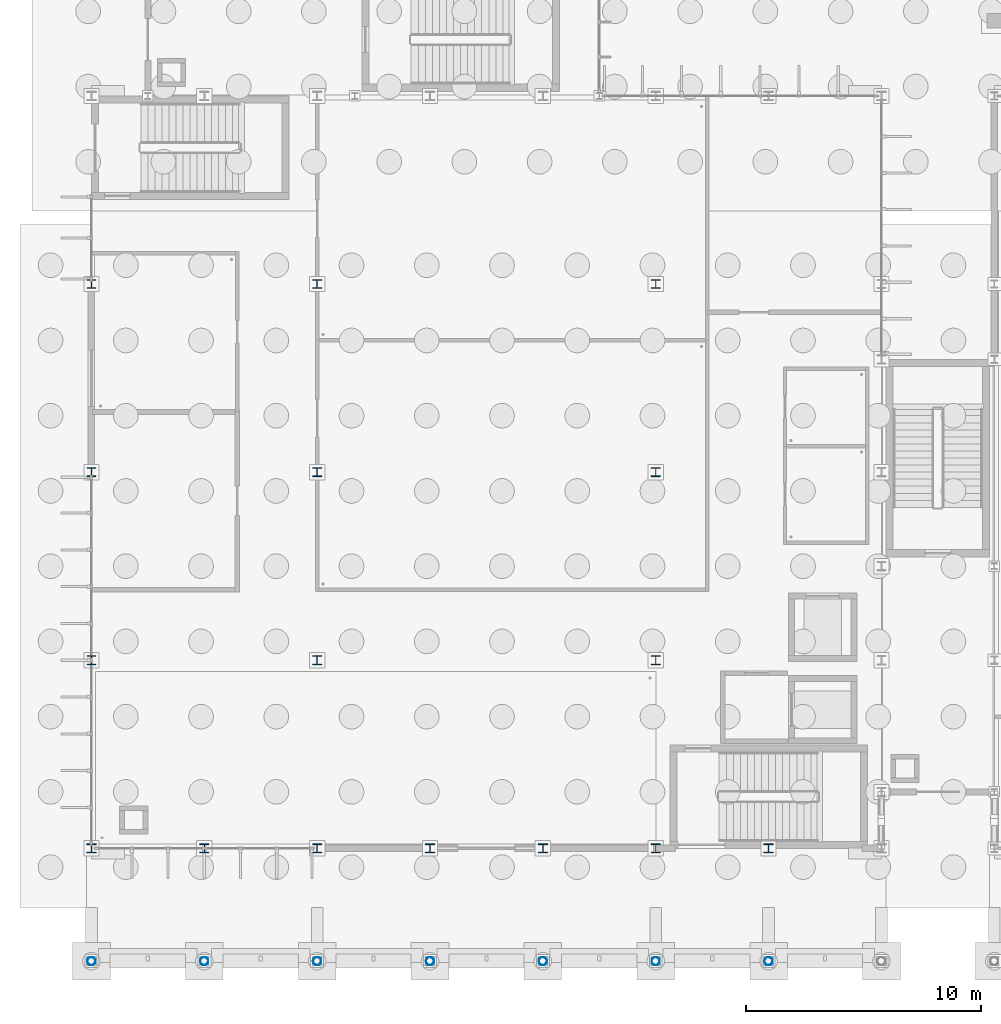
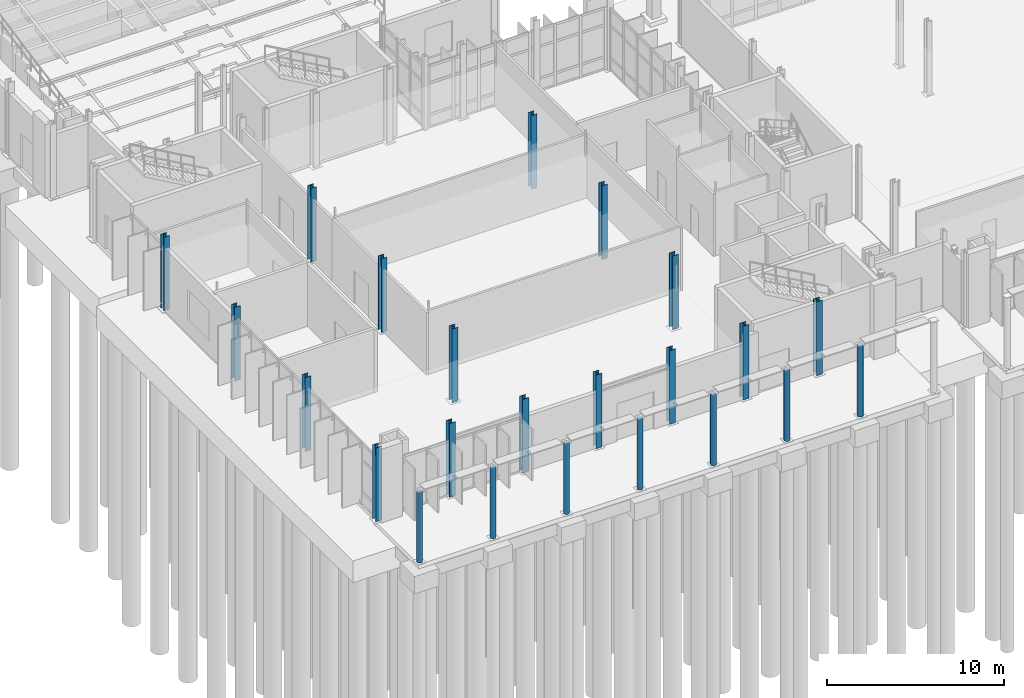
# One storey, part 6 of 111: 23 columns.
"""IFC4 building model written with IfcOpenShell, lengths in metres."""

from ifc_helpers import new_model, si_unit, direction, frame, origin, origin_2d, place, context, subcontext, project, spatial, hollow_circle, i_section, extrude, material, material_profile, profile_set, type_object, element, save


model = new_model("IFC4")

# Units and contexts
model_context = context("Model", 3, precision=1e-05, world=origin(), true_north=direction((0.0, 1.0)))
body_context = subcontext(model_context, "Body", "Model", "MODEL_VIEW")
ifc_project = project(units=[si_unit("LENGTHUNIT", "METRE"), si_unit("AREAUNIT", "SQUARE_METRE"), si_unit("VOLUMEUNIT", "CUBIC_METRE"), si_unit("PLANEANGLEUNIT", "RADIAN"), si_unit("MASSUNIT", "GRAM", prefix="KILO")], contexts=[model_context])

# Site, building, storey
site_placement = place(None, origin())
site = spatial("IfcSite", under=ifc_project, at=site_placement, CompositionType="ELEMENT")
building_placement = place(site_placement, origin())
building = spatial("IfcBuilding", under=site, at=building_placement, Name="Dunescarp Central Library", CompositionType="ELEMENT")
storey_placement = place(building_placement, origin())
storey = spatial("IfcBuildingStorey", under=building, at=storey_placement, Name="L00", CompositionType="ELEMENT", Elevation=0.0)

# Columns
ifc_material_1 = material(Name="Steel S355J0", Category="steel")
ifc_material_profile_1 = material_profile(ifc_material_1, hollow_circle(Radius=0.177734375, WallThickness=0.012451171875, at=origin_2d()), Name="CHS 355.6x12.5")
ifc_profile_set_1 = profile_set([ifc_material_profile_1], Name="Steel S355J0")
column_type_1 = type_object("IfcColumnType", Name="STR-COL-CHS355", PredefinedType="COLUMN", material=ifc_profile_set_1)
for number, where, z_axis, x_axis, name in (
    (1, (0.0, 0.0, 0.0), (0.0, 0.0, 1.0), (1.0, 0.0, 0.0), "L00 column COLS-0"),
    (2, (4.800048828125, 0.0, 0.0), (0.0, 0.0, 1.0), (1.0, 0.0, 0.0), "L00 column COLS-48"),
    (3, (9.60009765625, 0.0, 0.0), (0.0, 0.0, 1.0), (1.0, 0.0, 0.0), "L00 column COLS-96"),
    (4, (14.39990234375, 0.0, 0.0), (0.0, 0.0, 1.0), (1.0, 0.0, 0.0), "L00 column COLS-144"),
    (5, (19.199951171875, 0.0, 0.0), (0.0, 0.0, 1.0), (1.0, 0.0, 0.0), "L00 column COLS-192"),
    (6, (24.0, 0.0, 0.0), (0.0, 0.0, 1.0), (1.0, 0.0, 0.0), "L00 column COLS-240"),
    (7, (28.800048828125, 0.0, 0.0), (0.0, 0.0, 1.0), (1.0, 0.0, 0.0), "L00 column COLS-288"),
):
    element("IfcColumn", number, at=place(storey_placement, frame(where, z_axis=z_axis, x_axis=x_axis)), inside=storey, type_object=column_type_1, Name=name, PredefinedType="COLUMN", context=body_context, shape_type="SweptSolid", body=[
        extrude(hollow_circle(Radius=0.177734375, WallThickness=0.012451171875, at=origin_2d()), origin(), (0.0, 0.0, 1.0), 4.909912109375),
    ])
ifc_material_2 = material(Name="Steel S355JR", Category="steel")
ifc_material_profile_2 = material_profile(ifc_material_2, i_section(OverallWidth=0.374755859375, OverallDepth=0.37451171875, WebThickness=0.0166015625, FlangeThickness=0.027099609375, at=origin_2d()), Name="UC 356x368x202")
ifc_profile_set_2 = profile_set([ifc_material_profile_2], Name="Steel S355JR")
column_type_2 = type_object("IfcColumnType", Name="STR-COL-UC356X202", PredefinedType="COLUMN", material=ifc_profile_set_2)
for number, where, z_axis, x_axis, name in (
    (8, (0.0, 12.800048828125, 0.0), (0.0, 0.0, 1.0), (1.0, 0.0, 0.0), "L00 column V1P-0-128"),
    (9, (0.0, 20.800048828125, 0.0), (0.0, 0.0, 1.0), (1.0, 0.0, 0.0), "L00 column V1P-0-208"),
    (10, (0.0, 28.800048828125, 0.0), (0.0, 0.0, 1.0), (1.0, 0.0, 0.0), "L00 column V1P-0-288"),
    (11, (9.60009765625, 12.800048828125, 0.0), (0.0, 0.0, 1.0), (1.0, 0.0, 0.0), "L00 column V1I-96-128"),
    (12, (9.60009765625, 20.800048828125, 0.0), (0.0, 0.0, 1.0), (1.0, 0.0, 0.0), "L00 column V1I-96-208"),
    (13, (9.60009765625, 28.800048828125, 0.0), (0.0, 0.0, 1.0), (1.0, 0.0, 0.0), "L00 column V1I-96-288"),
    (14, (24.0, 12.800048828125, 0.0), (0.0, 0.0, 1.0), (1.0, 0.0, 0.0), "L00 column V1I-240-128"),
    (15, (24.0, 20.800048828125, 0.0), (0.0, 0.0, 1.0), (1.0, 0.0, 0.0), "L00 column V1I-240-208"),
    (16, (24.0, 28.800048828125, 0.0), (0.0, 0.0, 1.0), (1.0, 0.0, 0.0), "L00 column V1I-240-288"),
):
    element("IfcColumn", number, at=place(storey_placement, frame(where, z_axis=z_axis, x_axis=x_axis)), inside=storey, type_object=column_type_2, Name=name, PredefinedType="COLUMN", context=body_context, shape_type="SweptSolid", body=[
        extrude(i_section(OverallWidth=0.374755859375, OverallDepth=0.37451171875, WebThickness=0.0166015625, FlangeThickness=0.027099609375, at=origin_2d()), origin(), (0.0, 0.0, 1.0), 5.10009765625),
    ])
ifc_material_profile_3 = material_profile(ifc_material_2, i_section(OverallWidth=0.394775390625, OverallDepth=0.381103515625, WebThickness=0.018310546875, FlangeThickness=0.0302734375, at=origin_2d()), Name="UC 356x406x235")
ifc_profile_set_3 = profile_set([ifc_material_profile_3], Name="Steel S355JR")
column_type_3 = type_object("IfcColumnType", Name="STR-COL-UC356X235", PredefinedType="COLUMN", material=ifc_profile_set_3)
for number, where, z_axis, x_axis, name in (
    (17, (0.0, 4.800048828125, 0.0), (0.0, 0.0, 1.0), (1.0, 0.0, 0.0), "L00 column V1P-0-48"),
    (18, (4.800048828125, 4.800048828125, 0.0), (0.0, 0.0, 1.0), (1.0, 0.0, 0.0), "L00 column V1P-48-48"),
    (19, (9.60009765625, 4.800048828125, 0.0), (0.0, 0.0, 1.0), (1.0, 0.0, 0.0), "L00 column V1P-96-48"),
    (20, (14.39990234375, 4.800048828125, 0.0), (0.0, 0.0, 1.0), (1.0, 0.0, 0.0), "L00 column V1P-144-48"),
    (21, (19.199951171875, 4.800048828125, 0.0), (0.0, 0.0, 1.0), (1.0, 0.0, 0.0), "L00 column V1P-192-48"),
    (22, (24.0, 4.800048828125, 0.0), (0.0, 0.0, 1.0), (1.0, 0.0, 0.0), "L00 column V1P-240-48"),
    (23, (28.800048828125, 4.800048828125, 0.0), (0.0, 0.0, 1.0), (1.0, 0.0, 0.0), "L00 column V1P-288-48"),
):
    element("IfcColumn", number, at=place(storey_placement, frame(where, z_axis=z_axis, x_axis=x_axis)), inside=storey, type_object=column_type_3, Name=name, PredefinedType="COLUMN", context=body_context, shape_type="SweptSolid", body=[
        extrude(i_section(OverallWidth=0.394775390625, OverallDepth=0.381103515625, WebThickness=0.018310546875, FlangeThickness=0.0302734375, at=origin_2d()), origin(), (0.0, 0.0, 1.0), 5.10009765625),
    ])

save(model, "model.ifc")
